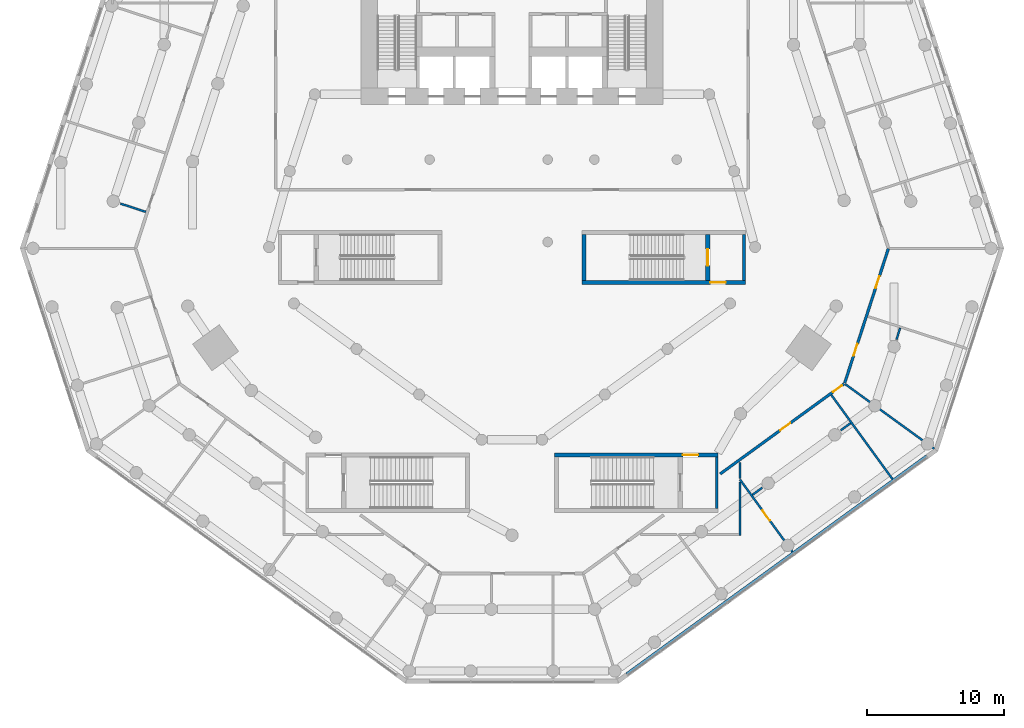
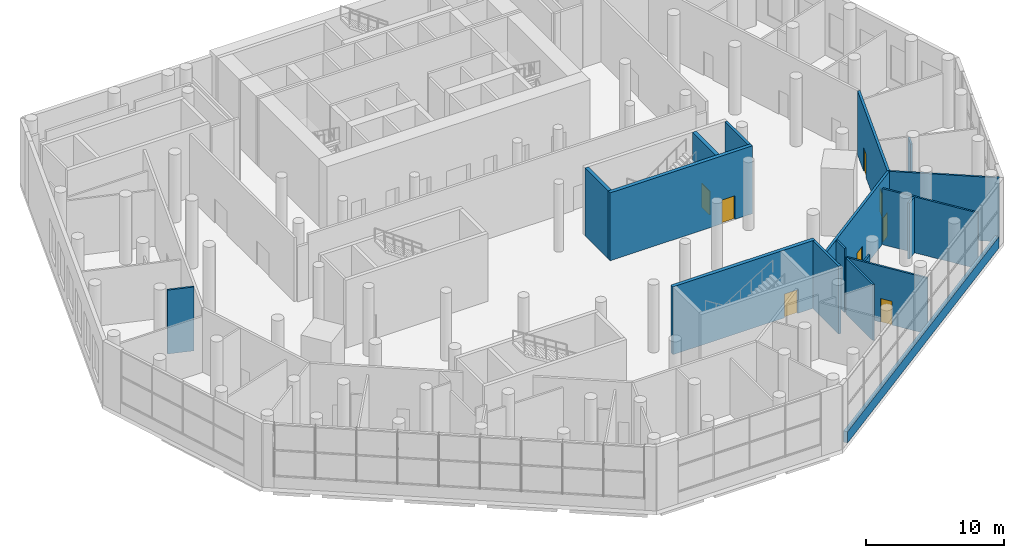
# One storey, part 11 of 19: 18 walls, 8 doors, 8 openings.
"""IFC4 building model written with IfcOpenShell, lengths in metres."""

import ifcopenshell
import ifcopenshell.guid

model = None  # the IFC model being written
_history = None  # IfcOwnerHistory: only IFC2X3 demands one
_inside = {}  # id of a spatial element -> (the spatial element, [elements in it])
_under = {}  # id of a project, library or spatial element -> (it, [spatial elements below it])
_declared = {}  # id of a project -> (the project, [libraries it declares])
_typed = {}  # id of a type object -> (the type object, [elements of that type])
_made_of = {}  # id of a material, layer set ... -> (it, [elements and type objects made of it])


def new_model(schema):
    """Start an empty IFC model of exactly this schema.

    Asked for "IFC4X3", IfcOpenShell would pick the latest addendum, in which some entities
    have other attributes; the version numbers below select the first issue.
    IFC2X3 requires an IfcOwnerHistory on every rooted entity: one is made here for all.
    """
    global model, _history
    if schema == "IFC4X3":
        model = ifcopenshell.file(schema_version=(4, 3, 0, 0))
    else:
        model = ifcopenshell.file(schema=schema)
    _inside.clear()
    _under.clear()
    _declared.clear()
    _typed.clear()
    _made_of.clear()
    _history = None
    if model.schema == "IFC2X3":
        org = make("IfcOrganization", Name="unknown")
        user = make(
            "IfcPersonAndOrganization",
            ThePerson=make("IfcPerson", FamilyName="unknown"),
            TheOrganization=org,
        )
        app = make(
            "IfcApplication",
            ApplicationDeveloper=org,
            Version="unknown",
            ApplicationFullName="unknown",
            ApplicationIdentifier="unknown",
        )
        _history = make(
            "IfcOwnerHistory",
            OwningUser=user,
            OwningApplication=app,
            ChangeAction="ADDED",
            CreationDate=0,
        )
    return model


def make(cls, **values):
    """One entity of the class cls with the attributes given. An attribute that is None is left unset."""
    return model.create_entity(
        cls, **{name: value for name, value in values.items() if value is not None}
    )


def rooted(cls, **values):
    """An entity with a GlobalId (a new one), such as an element, a storey or a relation."""
    return make(cls, GlobalId=ifcopenshell.guid.new(), OwnerHistory=_history, **values)


def si_unit(unit_type, name, prefix=None):
    """IfcSIUnit, for example si_unit("LENGTHUNIT", "METRE", prefix="MILLI")."""
    return make("IfcSIUnit", UnitType=unit_type, Prefix=prefix, Name=name)


def assignment(units):
    """IfcUnitAssignment: the units of a project."""
    return None if units is None else make("IfcUnitAssignment", Units=units)


def point(xyz):
    """IfcCartesianPoint."""
    return None if xyz is None else make("IfcCartesianPoint", Coordinates=xyz)


def direction(xyz):
    """IfcDirection."""
    return None if xyz is None else make("IfcDirection", DirectionRatios=xyz)


def frame(location, z_axis=None, x_axis=None):
    """IfcAxis2Placement3D, a coordinate frame: its origin and axes. An axis left out is left unset."""
    return make(
        "IfcAxis2Placement3D",
        Location=point(location),
        Axis=direction(z_axis),
        RefDirection=direction(x_axis),
    )


def frame_2d(location, x_axis=None):
    """IfcAxis2Placement2D, a coordinate frame in the plane: its origin and x axis."""
    return make(
        "IfcAxis2Placement2D", Location=point(location), RefDirection=direction(x_axis)
    )


def origin():
    """The frame at (0, 0, 0) with its axes left unset."""
    return frame((0.0, 0.0, 0.0))


def place(relative_to, where):
    """IfcLocalPlacement: puts the frame where relative to a parent placement (None: the world)."""
    return make(
        "IfcLocalPlacement", PlacementRelTo=relative_to, RelativePlacement=where
    )


def context(
    kind, dimensions, precision=None, world=None, true_north=None, identifier=None
):
    """IfcGeometricRepresentationContext, for example the 3D "Model" context."""
    return make(
        "IfcGeometricRepresentationContext",
        ContextIdentifier=identifier,
        ContextType=kind,
        CoordinateSpaceDimension=dimensions,
        Precision=precision,
        WorldCoordinateSystem=world,
        TrueNorth=true_north,
    )


def subcontext(parent, identifier, kind, view, scale=None):
    """IfcGeometricRepresentationSubContext, for example "Body" below "Model"."""
    return make(
        "IfcGeometricRepresentationSubContext",
        ContextIdentifier=identifier,
        ContextType=kind,
        ParentContext=parent,
        TargetScale=scale,
        TargetView=view,
    )


def project(units=None, contexts=None):
    """IfcProject with its units and contexts."""
    return rooted(
        "IfcProject",
        Name="project",
        RepresentationContexts=contexts,
        UnitsInContext=assignment(units),
    )


def spatial(cls, under=None, at=None, **own):
    """A site, building, storey or space (cls), placed at a placement, below another one or the project."""
    s = rooted(cls, ObjectPlacement=at, **own)
    if under is not None:
        _under.setdefault(under.id(), (under, []))[1].append(s)
    return s


def profile(cls, at=None, kind="AREA", **sizes):
    """A parametric profile (cls). Its sizes go by their IFC names, for example OverallWidth=200.0."""
    return make(cls, ProfileType=kind, Position=at, **sizes)


def rectangle(**sizes):
    """IfcRectangleProfileDef."""
    return profile("IfcRectangleProfileDef", **sizes)


def extrude(swept, where, along, depth):
    """IfcExtrudedAreaSolid: the profile swept, set in the frame where, extruded along a direction by depth."""
    return make(
        "IfcExtrudedAreaSolid",
        SweptArea=swept,
        Position=where,
        ExtrudedDirection=direction(along),
        Depth=depth,
    )


def shape(context_of_items, identifier, shape_type, items):
    """IfcShapeRepresentation: the items that make up one representation, for example the "Body"."""
    return make(
        "IfcShapeRepresentation",
        ContextOfItems=context_of_items,
        RepresentationIdentifier=identifier,
        RepresentationType=shape_type,
        Items=items,
    )


def material(Name=None, Category=None):
    """IfcMaterial."""
    return make("IfcMaterial", Name=Name, Category=Category)


def layer(
    of_material, thickness, ventilated=None, Name=None, Category=None, Priority=None
):
    """IfcMaterialLayer: one layer of a wall or slab, of a material (None: an air gap)."""
    return make(
        "IfcMaterialLayer",
        Material=of_material,
        LayerThickness=thickness,
        IsVentilated=ventilated,
        Name=Name,
        Category=Category,
        Priority=Priority,
    )


def layer_set(layers, Name=None):
    """IfcMaterialLayerSet."""
    return make("IfcMaterialLayerSet", MaterialLayers=layers, LayerSetName=Name)


def made_of(thing, what):
    """Note that an element or type object is made of a material, layer set ...; save() writes the relation."""
    if what is not None:
        _made_of.setdefault(what.id(), (what, []))[1].append(thing)
    return thing


def type_object(cls, material=None, **own):
    """A type object (cls), such as IfcWallType, which elements share."""
    return made_of(rooted(cls, **own), material)


def element(
    cls,
    number,
    at=None,
    inside=None,
    cuts=None,
    type_object=None,
    material=None,
    context=None,
    identifier="Body",
    shape_type=None,
    held_by="IfcProductDefinitionShape",
    body=None,
    shapes=None,
    **own,
):
    """One element of the class cls, such as IfcWall. Its Tag is "e" and its number.

    at: its placement. inside: the storey or other place that contains it. cuts: it is an
    opening in that element (IfcRelVoidsElement). A single representation is given by context,
    identifier, shape_type and body (its items); several are given by shapes. held_by: the class
    of the entity that holds the representations. save() writes the other relations.
    """
    e = rooted(cls, Tag="e%d" % number, ObjectPlacement=at, **own)
    if body is not None:
        shapes = [shape(context, identifier, shape_type, body)]
    if shapes is not None:
        e.Representation = make(held_by, Representations=shapes)
    if inside is not None:
        _inside.setdefault(inside.id(), (inside, []))[1].append(e)
    if cuts is not None:
        rooted(
            "IfcRelVoidsElement", RelatingBuildingElement=cuts, RelatedOpeningElement=e
        )
    if type_object is not None:
        _typed.setdefault(type_object.id(), (type_object, []))[1].append(e)
    return made_of(e, material)


def fill(opening, filler):
    """IfcRelFillsElement: the door or window that sits in an opening."""
    return rooted(
        "IfcRelFillsElement",
        RelatingOpeningElement=opening,
        RelatedBuildingElement=filler,
    )


def aggregate(whole, parts):
    """IfcRelAggregates: a whole, such as a stair, and the parts it consists of."""
    return rooted("IfcRelAggregates", RelatingObject=whole, RelatedObjects=parts)


def save(model, path):
    """Write the relations noted so far, then the file.

    IfcRelAggregates (storeys below a building ...), IfcRelContainedInSpatialStructure (elements
    in a storey), IfcRelDefinesByType, IfcRelAssociatesMaterial and IfcRelDeclares: one each for
    every whole, place, type object, material and project.
    """
    for whole, parts in _under.values():
        aggregate(whole, parts)
    for where, things in _inside.values():
        rooted(
            "IfcRelContainedInSpatialStructure",
            RelatedElements=things,
            RelatingStructure=where,
        )
    for kind, things in _typed.values():
        rooted("IfcRelDefinesByType", RelatedObjects=things, RelatingType=kind)
    for what, things in _made_of.values():
        rooted("IfcRelAssociatesMaterial", RelatedObjects=things, RelatingMaterial=what)
    for by, libraries in _declared.values():
        rooted("IfcRelDeclares", RelatingContext=by, RelatedDefinitions=libraries)
    model.write(path)


model = new_model("IFC4")

# Units and contexts
model_context = context("Model", 3, precision=1e-05, world=origin(), true_north=direction((0.0, 1.0)))
body_context = subcontext(model_context, "Body", "Model", "MODEL_VIEW")
ifc_project = project(units=[si_unit("LENGTHUNIT", "METRE"), si_unit("AREAUNIT", "SQUARE_METRE"), si_unit("VOLUMEUNIT", "CUBIC_METRE"), si_unit("PLANEANGLEUNIT", "RADIAN"), si_unit("MASSUNIT", "GRAM", prefix="KILO")], contexts=[model_context])

# Site, building, storey
site_placement = place(None, origin())
site = spatial("IfcSite", under=ifc_project, at=site_placement, CompositionType="ELEMENT")
building_placement = place(site_placement, origin())
building = spatial("IfcBuilding", under=site, at=building_placement, Name="White Candle Pilgrim Tower", CompositionType="ELEMENT")
storey_placement = place(building_placement, frame((0.0, 0.0, 23.0)))
storey = spatial("IfcBuildingStorey", under=building, at=storey_placement, Name="L03", CompositionType="ELEMENT", Elevation=23.0)

# Walls
ifc_material_1 = material(Name="Concrete C70/85", Category="concrete")
ifc_layer_1 = layer(ifc_material_1, 0.199951171875)
ifc_layer_set_1 = layer_set([ifc_layer_1], Name="Core wall 200 mm Concrete C70/85")
wall_type_1 = type_object("IfcWallType", Name="Core wall 200 mm Concrete C70/85", PredefinedType="SHEAR", material=ifc_layer_set_1)
wall_1_placement = place(storey_placement, frame((84.89990234375, 41.60009765625, 0.0), z_axis=(0.0, 0.0, 1.0), x_axis=(0.0, 1.0, 0.0)))
element("IfcWall", 1, at=wall_1_placement, inside=storey, type_object=wall_type_1, Name="WL-L03-C08", PredefinedType="SHEAR", context=body_context, shape_type="SweptSolid", body=[
    extrude(rectangle(XDim=3.75, YDim=0.199951171875, at=frame_2d((1.875, 0.0))), origin(), (0.0, 0.0, 1.0), 6.0),
])
wall_2_placement = place(storey_placement, frame((86.89990234375, 58.199951171875, 0.0), z_axis=(0.0, 0.0, 1.0), x_axis=(0.0, 1.0, 0.0)))
element("IfcWall", 2, at=wall_2_placement, inside=storey, type_object=wall_type_1, Name="WL-L03-C18", PredefinedType="SHEAR", context=body_context, shape_type="SweptSolid", body=[
    extrude(rectangle(XDim=3.35009765625, YDim=0.199951171875, at=frame_2d((1.675048828125, 0.0))), origin(), (0.0, 0.0, 1.0), 6.0),
])
ifc_material_2 = material(Name="Precast concrete C40/50", Category="concrete")
ifc_layer_2 = layer(ifc_material_2, 0.320068359375)
ifc_layer_set_2 = layer_set([ifc_layer_2], Name="Facade wall EW3 precast concrete C40/50 and stone-faced podium wall")
wall_type_2 = type_object("IfcWallType", Name="Facade wall EW3 precast concrete C40/50 and stone-faced podium wall", PredefinedType="SOLIDWALL", material=ifc_layer_set_2)
wall_3_placement = place(storey_placement, frame((78.381103515625, 29.496826171875, 0.0), z_axis=(0.0, 0.0, 1.0), x_axis=(0.809019086344, 0.587782372933, 0.0)))
element("IfcWall", 3, at=wall_3_placement, inside=storey, type_object=wall_type_2, Name="Sill wall L03 SE", PredefinedType="SOLIDWALL", context=body_context, shape_type="SweptSolid", body=[
    extrude(rectangle(XDim=27.0, YDim=0.320068359375, at=frame_2d((13.5, 0.0))), origin(), (0.0, 0.0, 1.0), 1.0),
])

# Wall, openings, doors
ifc_material_3 = material(Name="Autoclaved aerated block D500, plastered")
ifc_layer_3 = layer(ifc_material_3, 0.199951171875)
ifc_layer_set_3 = layer_set([ifc_layer_3], Name="Hall enclosure wall 200 mm REI 240")
wall_type_3 = type_object("IfcWallType", Name="Hall enclosure wall 200 mm REI 240", PredefinedType="PARTITIONING", material=ifc_layer_set_3)
wall_4_placement = place(storey_placement, frame((97.40087890625, 60.50830078125, 0.0), z_axis=(0.0, 0.0, 1.0), x_axis=(-0.309010449617, -0.951058642791, 0.0)))
wall_4 = element("IfcWall", 4, at=wall_4_placement, inside=storey, type_object=wall_type_3, Name="WL-L03-P004", PredefinedType="PARTITIONING", context=body_context, shape_type="SweptSolid", body=[
    extrude(rectangle(XDim=10.29296875, YDim=0.199951171875, at=frame_2d((5.146484375, 0.0))), origin(), (0.0, 0.0, 1.0), 5.64990234375),
])
opening_1_placement = place(wall_4_placement, frame((7.2861328125, 0.0, 0.0)))
opening_1 = element("IfcOpeningElement", 5, at=opening_1_placement, cuts=wall_4, Name="Opening L03-115", PredefinedType="OPENING", context=body_context, shape_type="SweptSolid", body=[
    extrude(rectangle(XDim=0.89990234375, YDim=2.10009765625, at=frame_2d((0.449951171875, 1.050048828125))), frame((0.0, 0.10986328125, 0.0), z_axis=(0.0, -1.0, 0.0), x_axis=(1.0, 0.0, 0.0)), (0.0, 0.0, 1.0), 0.219970703125),
])
opening_2_placement = place(wall_4_placement, frame((2.107177734375, 0.0, 0.0)))
opening_2 = element("IfcOpeningElement", 6, at=opening_2_placement, cuts=wall_4, Name="Opening L03-116", PredefinedType="OPENING", context=body_context, shape_type="SweptSolid", body=[
    extrude(rectangle(XDim=0.89990234375, YDim=2.10009765625, at=frame_2d((0.449951171875, 1.050048828125))), frame((0.0, 0.10986328125, 0.0), z_axis=(0.0, -1.0, 0.0), x_axis=(1.0, 0.0, 0.0)), (0.0, 0.0, 1.0), 0.219970703125),
])
ifc_material_4 = material(Name="Steel door leaf", Category="steel")
door_type_1 = type_object("IfcDoorType", Name="Fire door 900 x 2100 EI 60", OperationType="NOTDEFINED", PredefinedType="DOOR", material=ifc_material_4)
door_1_placement = place(opening_1_placement, origin())
door_1 = element("IfcDoor", 7, at=door_1_placement, inside=storey, type_object=door_type_1, Name="Door L03-115", OperationType="SINGLE_SWING_LEFT", OverallHeight=2.10009765625, OverallWidth=0.89990234375, PredefinedType="DOOR", context=body_context, shape_type="SweptSolid", body=[
    extrude(rectangle(XDim=0.89990234375, YDim=2.10009765625, at=frame_2d((0.449951171875, 1.050048828125))), frame((0.0, 0.02490234375, 0.0), z_axis=(0.0, -1.0, 0.0), x_axis=(1.0, 0.0, 0.0)), (0.0, 0.0, 1.0), 0.050048828125),
])
fill(opening_1, door_1)
door_2_placement = place(opening_2_placement, origin())
door_2 = element("IfcDoor", 8, at=door_2_placement, inside=storey, type_object=door_type_1, Name="Door L03-116", OperationType="SINGLE_SWING_RIGHT", OverallHeight=2.10009765625, OverallWidth=0.89990234375, PredefinedType="DOOR", context=body_context, shape_type="SweptSolid", body=[
    extrude(rectangle(XDim=0.89990234375, YDim=2.10009765625, at=frame_2d((0.449951171875, 1.050048828125))), frame((0.0, 0.02490234375, 0.0), z_axis=(0.0, -1.0, 0.0), x_axis=(1.0, 0.0, 0.0)), (0.0, 0.0, 1.0), 0.050048828125),
])
fill(opening_2, door_2)

wall_5_placement = place(storey_placement, frame((94.18408203125, 50.6689453125, 0.0), z_axis=(0.0, 0.0, 1.0), x_axis=(-0.809025571226, -0.587773447089, 0.0)))
wall_5 = element("IfcWall", 9, at=wall_5_placement, inside=storey, type_object=wall_type_3, Name="WL-L03-P005", PredefinedType="PARTITIONING", context=body_context, shape_type="SweptSolid", body=[
    extrude(rectangle(XDim=11.15576171875, YDim=0.199951171875, at=frame_2d((5.577880859375, 0.0))), origin(), (0.0, 0.0, 1.0), 5.64990234375),
])
opening_3_placement = place(wall_5_placement, frame((4.851806640625, 0.0, 0.0)))
opening_3 = element("IfcOpeningElement", 10, at=opening_3_placement, cuts=wall_5, Name="Opening L03-113", PredefinedType="OPENING", context=body_context, shape_type="SweptSolid", body=[
    extrude(rectangle(XDim=0.89990234375, YDim=2.10009765625, at=frame_2d((0.449951171875, 1.050048828125))), frame((0.0, 0.10986328125, 0.0), z_axis=(0.0, -1.0, 0.0), x_axis=(1.0, 0.0, 0.0)), (0.0, 0.0, 1.0), 0.219970703125),
])
opening_4_placement = place(wall_5_placement, frame((0.198486328125, 0.0, 0.0)))
opening_4 = element("IfcOpeningElement", 11, at=opening_4_placement, cuts=wall_5, Name="Opening L03-114", PredefinedType="OPENING", context=body_context, shape_type="SweptSolid", body=[
    extrude(rectangle(XDim=0.800048828125, YDim=2.10009765625, at=frame_2d((0.39990234375, 1.050048828125))), frame((0.0, 0.10986328125, 0.0), z_axis=(0.0, -1.0, 0.0), x_axis=(1.0, 0.0, 0.0)), (0.0, 0.0, 1.0), 0.219970703125),
])
door_type_2 = type_object("IfcDoorType", Name="Fire door 800 x 2100 EI 60", OperationType="NOTDEFINED", PredefinedType="DOOR", material=ifc_material_4)
door_3_placement = place(opening_4_placement, origin())
door_3 = element("IfcDoor", 12, at=door_3_placement, inside=storey, type_object=door_type_2, Name="Door L03-114", OperationType="SINGLE_SWING_RIGHT", OverallHeight=2.10009765625, OverallWidth=0.800048828125, PredefinedType="DOOR", context=body_context, shape_type="SweptSolid", body=[
    extrude(rectangle(XDim=0.800048828125, YDim=2.10009765625, at=frame_2d((0.39990234375, 1.050048828125))), frame((0.0, 0.02490234375, 0.0), z_axis=(0.0, -1.0, 0.0), x_axis=(1.0, 0.0, 0.0)), (0.0, 0.0, 1.0), 0.050048828125),
])
fill(opening_4, door_3)
door_4_placement = place(opening_3_placement, origin())
door_4 = element("IfcDoor", 13, at=door_4_placement, inside=storey, type_object=door_type_1, Name="Door L03-113", OperationType="SINGLE_SWING_LEFT", OverallHeight=2.10009765625, OverallWidth=0.89990234375, PredefinedType="DOOR", context=body_context, shape_type="SweptSolid", body=[
    extrude(rectangle(XDim=0.89990234375, YDim=2.10009765625, at=frame_2d((0.449951171875, 1.050048828125))), frame((0.0, 0.02490234375, 0.0), z_axis=(0.0, -1.0, 0.0), x_axis=(1.0, 0.0, 0.0)), (0.0, 0.0, 1.0), 0.050048828125),
])
fill(opening_3, door_4)

# Wall
ifc_material_5 = material(Name="Gypsum board on steel studs", Category="steel")
ifc_layer_4 = layer(ifc_material_5, 0.14990234375)
ifc_layer_set_4 = layer_set([ifc_layer_4], Name="Partition 150 mm EI 60")
wall_type_4 = type_object("IfcWallType", Name="Partition 150 mm EI 60", PredefinedType="PARTITIONING", material=ifc_layer_set_4)
wall_6_placement = place(storey_placement, frame((100.7431640625, 45.941650390625, 0.0), z_axis=(0.0, 0.0, 1.0), x_axis=(-0.80901214883, 0.587791921556, 0.0)))
element("IfcWall", 14, at=wall_6_placement, inside=storey, type_object=wall_type_4, Name="WL-L03-P018", PredefinedType="PARTITIONING", context=body_context, shape_type="SweptSolid", body=[
    extrude(rectangle(XDim=7.990234375, YDim=0.14990234375, at=frame_2d((3.9951171875, 0.0))), origin(), (0.0, 0.0, 1.0), 5.64990234375),
])

# Wall, opening, door
wall_7_placement = place(storey_placement, frame((90.42236328125, 38.443115234375, 0.0), z_axis=(0.0, 0.0, 1.0), x_axis=(-0.587778742149, 0.809021724231, 0.0)))
wall_7 = element("IfcWall", 15, at=wall_7_placement, inside=storey, type_object=wall_type_4, Name="WL-L03-P028", PredefinedType="PARTITIONING", context=body_context, shape_type="SweptSolid", body=[
    extrude(rectangle(XDim=6.5029296875, YDim=0.14990234375, at=frame_2d((3.25146484375, 0.0))), origin(), (0.0, 0.0, 1.0), 4.949951171875),
])
opening_5_placement = place(wall_7_placement, frame((2.801513671875, 0.0, 0.0)))
opening_5 = element("IfcOpeningElement", 16, at=opening_5_placement, cuts=wall_7, Name="Opening L03-128", PredefinedType="OPENING", context=body_context, shape_type="SweptSolid", body=[
    extrude(rectangle(XDim=0.89990234375, YDim=2.10009765625, at=frame_2d((0.449951171875, 1.050048828125))), frame((0.0, 0.0849609375, 0.0), z_axis=(0.0, -1.0, 0.0), x_axis=(1.0, 0.0, 0.0)), (0.0, 0.0, 1.0), 0.169921875),
])
door_type_3 = type_object("IfcDoorType", Name="Fire door 900 x 2100 EI 30", OperationType="NOTDEFINED", PredefinedType="DOOR", material=ifc_material_4)
door_5_placement = place(opening_5_placement, origin())
door_5 = element("IfcDoor", 17, at=door_5_placement, inside=storey, type_object=door_type_3, Name="Door L03-128", OperationType="SINGLE_SWING_RIGHT", OverallHeight=2.10009765625, OverallWidth=0.89990234375, PredefinedType="DOOR", context=body_context, shape_type="SweptSolid", body=[
    extrude(rectangle(XDim=0.89990234375, YDim=2.10009765625, at=frame_2d((0.449951171875, 1.050048828125))), frame((0.0, 0.02490234375, 0.0), z_axis=(0.0, -1.0, 0.0), x_axis=(1.0, 0.0, 0.0)), (0.0, 0.0, 1.0), 0.050048828125),
])
fill(opening_5, door_5)

# Walls
wall_8_placement = place(storey_placement, frame((97.70361328125, 43.733154296875, 0.0), z_axis=(0.0, 0.0, 1.0), x_axis=(-0.587800109381, 0.80900619986, 0.0)))
element("IfcWall", 18, at=wall_8_placement, inside=storey, type_object=wall_type_4, Name="WL-L03-P029", PredefinedType="PARTITIONING", context=body_context, shape_type="SweptSolid", body=[
    extrude(rectangle(XDim=7.580078125, YDim=0.14990234375, at=frame_2d((3.7900390625, 0.0))), origin(), (0.0, 0.0, 1.0), 4.949951171875),
])
wall_9_placement = place(storey_placement, frame((88.219970703125, 43.107421875, 0.0), z_axis=(0.0, 0.0, 1.0), x_axis=(-0.809141502874, -0.587613842865, 0.0)))
element("IfcWall", 19, at=wall_9_placement, inside=storey, type_object=wall_type_4, Name="WL-L03-P042", PredefinedType="PARTITIONING", context=body_context, shape_type="SweptSolid", body=[
    extrude(rectangle(XDim=0.885009765625, YDim=0.14990234375, at=frame_2d((0.4423828125, 0.0))), origin(), (0.0, 0.0, 1.0), 4.949951171875),
])
wall_10_placement = place(storey_placement, frame((93.93408203125, 47.28759765625, 0.0), z_axis=(0.0, 0.0, 1.0), x_axis=(0.809105603792, 0.587663272557, 0.0)))
element("IfcWall", 20, at=wall_10_placement, inside=storey, type_object=wall_type_4, Name="WL-L03-P043", PredefinedType="PARTITIONING", context=body_context, shape_type="SweptSolid", body=[
    extrude(rectangle(XDim=0.88525390625, YDim=0.14990234375, at=frame_2d((0.442626953125, 0.0))), origin(), (0.0, 0.0, 1.0), 4.949951171875),
])
wall_11_placement = place(storey_placement, frame((97.9912109375, 53.89599609375, 0.0), z_axis=(0.0, 0.0, 1.0), x_axis=(0.308848908026, 0.95111111444, 0.0)))
element("IfcWall", 21, at=wall_11_placement, inside=storey, type_object=wall_type_4, Name="WL-L03-P044", PredefinedType="PARTITIONING", context=body_context, shape_type="SweptSolid", body=[
    extrude(rectangle(XDim=0.884521484375, YDim=0.14990234375, at=frame_2d((0.4423828125, 0.0))), origin(), (0.0, 0.0, 1.0), 4.75),
])
wall_12_placement = place(storey_placement, frame((41.482177734375, 63.7978515625, 0.0), z_axis=(0.0, 0.0, 1.0), x_axis=(0.951072514022, -0.308967754097, 0.0)))
element("IfcWall", 22, at=wall_12_placement, inside=storey, type_object=wall_type_4, Name="WL-L03-P050", PredefinedType="PARTITIONING", context=body_context, shape_type="SweptSolid", body=[
    extrude(rectangle(XDim=1.959716796875, YDim=0.14990234375, at=frame_2d((0.97998046875, 0.0))), origin(), (0.0, 0.0, 1.0), 5.64990234375),
])
wall_13_placement = place(storey_placement, frame((86.60009765625, 43.7783203125, 0.0), z_axis=(0.0, 0.0, 1.0), x_axis=(0.0, 1.0, 0.0)))
element("IfcWall", 23, at=wall_13_placement, inside=storey, type_object=wall_type_4, Name="WL-L03-P063", PredefinedType="PARTITIONING", context=body_context, shape_type="SweptSolid", body=[
    extrude(rectangle(XDim=1.182861328125, YDim=0.14990234375, at=frame_2d((0.59130859375, 0.0))), origin(), (0.0, 0.0, 1.0), 5.64990234375),
])
wall_14_placement = place(storey_placement, frame((86.60009765625, 39.639892578125, 0.0), z_axis=(0.0, 0.0, 1.0), x_axis=(0.0, 1.0, 0.0)))
element("IfcWall", 24, at=wall_14_placement, inside=storey, type_object=wall_type_4, Name="WL-L03-P065", PredefinedType="PARTITIONING", context=body_context, shape_type="SweptSolid", body=[
    extrude(rectangle(XDim=3.894287109375, YDim=0.14990234375, at=frame_2d((1.947265625, 0.0))), origin(), (0.0, 0.0, 1.0), 4.949951171875),
])

# Wall, opening, door
ifc_layer_5 = layer(ifc_material_1, 0.300048828125)
ifc_layer_set_5 = layer_set([ifc_layer_5], Name="Stair shaft wall 300 mm Concrete C70/85")
wall_type_5 = type_object("IfcWallType", Name="Stair shaft wall 300 mm Concrete C70/85", PredefinedType="SHEAR", material=ifc_layer_set_5)
wall_15_placement = place(storey_placement, frame((73.10009765625, 45.5, 0.0), z_axis=(0.0, 0.0, 1.0), x_axis=(1.0, 0.0, 0.0)))
wall_15 = element("IfcWall", 25, at=wall_15_placement, inside=storey, type_object=wall_type_5, Name="WL-L03-C10", PredefinedType="SHEAR", context=body_context, shape_type="SweptSolid", body=[
    extrude(rectangle(XDim=11.89990234375, YDim=0.300048828125, at=frame_2d((5.949951171875, 0.0))), origin(), (0.0, 0.0, 1.0), 6.0),
])
opening_6_placement = place(wall_15_placement, frame((9.35009765625, 0.0, 0.0)))
opening_6 = element("IfcOpeningElement", 26, at=opening_6_placement, cuts=wall_15, Name="Opening L03-013", PredefinedType="OPENING", context=body_context, shape_type="SweptSolid", body=[
    extrude(rectangle(XDim=1.10009765625, YDim=2.10009765625, at=frame_2d((0.550048828125, 1.050048828125))), frame((0.0, 0.159912109375, 0.0), z_axis=(0.0, -1.0, 0.0), x_axis=(1.0, 0.0, 0.0)), (0.0, 0.0, 1.0), 0.320068359375),
])
door_type_4 = type_object("IfcDoorType", Name="Fire door 1100 x 2100 EI 60", OperationType="NOTDEFINED", PredefinedType="DOOR", material=ifc_material_4)
door_6_placement = place(opening_6_placement, frame((1.10009765625, 0.0, 0.0), z_axis=(0.0, 0.0, 1.0), x_axis=(-1.0, 0.0, 0.0)))
door_6 = element("IfcDoor", 27, at=door_6_placement, inside=storey, type_object=door_type_4, Name="Door L03-013", OperationType="SINGLE_SWING_RIGHT", OverallHeight=2.10009765625, OverallWidth=1.10009765625, PredefinedType="DOOR", context=body_context, shape_type="SweptSolid", body=[
    extrude(rectangle(XDim=1.10009765625, YDim=2.10009765625, at=frame_2d((0.550048828125, 1.050048828125))), frame((0.0, 0.02490234375, 0.0), z_axis=(0.0, -1.0, 0.0), x_axis=(1.0, 0.0, 0.0)), (0.0, 0.0, 1.0), 0.050048828125),
])
fill(opening_6, door_6)

wall_16_placement = place(storey_placement, frame((75.10009765625, 58.050048828125, 0.0), z_axis=(0.0, 0.0, 1.0), x_axis=(1.0, 0.0, 0.0)))
wall_16 = element("IfcWall", 28, at=wall_16_placement, inside=storey, type_object=wall_type_5, Name="WL-L03-C12", PredefinedType="SHEAR", context=body_context, shape_type="SweptSolid", body=[
    extrude(rectangle(XDim=11.89990234375, YDim=0.300048828125, at=frame_2d((5.949951171875, 0.0))), origin(), (0.0, 0.0, 1.0), 6.0),
])
opening_7_placement = place(wall_16_placement, frame((9.35009765625, 0.0, 0.0)))
opening_7 = element("IfcOpeningElement", 29, at=opening_7_placement, cuts=wall_16, Name="Opening L03-009", PredefinedType="OPENING", context=body_context, shape_type="SweptSolid", body=[
    extrude(rectangle(XDim=1.10009765625, YDim=2.10009765625, at=frame_2d((0.550048828125, 1.050048828125))), frame((0.0, 0.159912109375, 0.0), z_axis=(0.0, -1.0, 0.0), x_axis=(1.0, 0.0, 0.0)), (0.0, 0.0, 1.0), 0.320068359375),
])
door_7_placement = place(opening_7_placement, origin())
door_7 = element("IfcDoor", 30, at=door_7_placement, inside=storey, type_object=door_type_4, Name="Door L03-009", OperationType="SINGLE_SWING_LEFT", OverallHeight=2.10009765625, OverallWidth=1.10009765625, PredefinedType="DOOR", context=body_context, shape_type="SweptSolid", body=[
    extrude(rectangle(XDim=1.10009765625, YDim=2.10009765625, at=frame_2d((0.550048828125, 1.050048828125))), frame((0.0, 0.02490234375, 0.0), z_axis=(0.0, -1.0, 0.0), x_axis=(1.0, 0.0, 0.0)), (0.0, 0.0, 1.0), 0.050048828125),
])
fill(opening_7, door_7)

# Wall
wall_17_placement = place(storey_placement, frame((75.25, 58.199951171875, 0.0), z_axis=(0.0, 0.0, 1.0), x_axis=(0.0, 1.0, 0.0)))
element("IfcWall", 31, at=wall_17_placement, inside=storey, type_object=wall_type_5, Name="WL-L03-C16", PredefinedType="SHEAR", context=body_context, shape_type="SweptSolid", body=[
    extrude(rectangle(XDim=3.35009765625, YDim=0.300048828125, at=frame_2d((1.675048828125, 0.0))), origin(), (0.0, 0.0, 1.0), 6.0),
])

# Wall, opening, door
wall_18_placement = place(storey_placement, frame((84.25, 58.199951171875, 0.0), z_axis=(0.0, 0.0, 1.0), x_axis=(0.0, 1.0, 0.0)))
wall_18 = element("IfcWall", 32, at=wall_18_placement, inside=storey, type_object=wall_type_5, Name="WL-L03-C17", PredefinedType="SHEAR", context=body_context, shape_type="SweptSolid", body=[
    extrude(rectangle(XDim=3.35009765625, YDim=0.300048828125, at=frame_2d((1.675048828125, 0.0))), origin(), (0.0, 0.0, 1.0), 6.0),
])
opening_8_placement = place(wall_18_placement, frame((1.074951171875, 0.0, 0.0)))
opening_8 = element("IfcOpeningElement", 33, at=opening_8_placement, cuts=wall_18, Name="Opening L03-010", PredefinedType="OPENING", context=body_context, shape_type="SweptSolid", body=[
    extrude(rectangle(XDim=1.199951171875, YDim=2.10009765625, at=frame_2d((0.60009765625, 1.050048828125))), frame((0.0, 0.159912109375, 0.0), z_axis=(0.0, -1.0, 0.0), x_axis=(1.0, 0.0, 0.0)), (0.0, 0.0, 1.0), 0.320068359375),
])
door_type_5 = type_object("IfcDoorType", Name="Fire door 1200 x 2100 EI 60", OperationType="NOTDEFINED", PredefinedType="DOOR", material=ifc_material_4)
door_8_placement = place(opening_8_placement, origin())
door_8 = element("IfcDoor", 34, at=door_8_placement, inside=storey, type_object=door_type_5, Name="Door L03-010", OperationType="SINGLE_SWING_RIGHT", OverallHeight=2.10009765625, OverallWidth=1.199951171875, PredefinedType="DOOR", context=body_context, shape_type="SweptSolid", body=[
    extrude(rectangle(XDim=1.199951171875, YDim=2.10009765625, at=frame_2d((0.60009765625, 1.050048828125))), frame((0.0, 0.02490234375, 0.0), z_axis=(0.0, -1.0, 0.0), x_axis=(1.0, 0.0, 0.0)), (0.0, 0.0, 1.0), 0.050048828125),
])
fill(opening_8, door_8)

save(model, "model.ifc")
